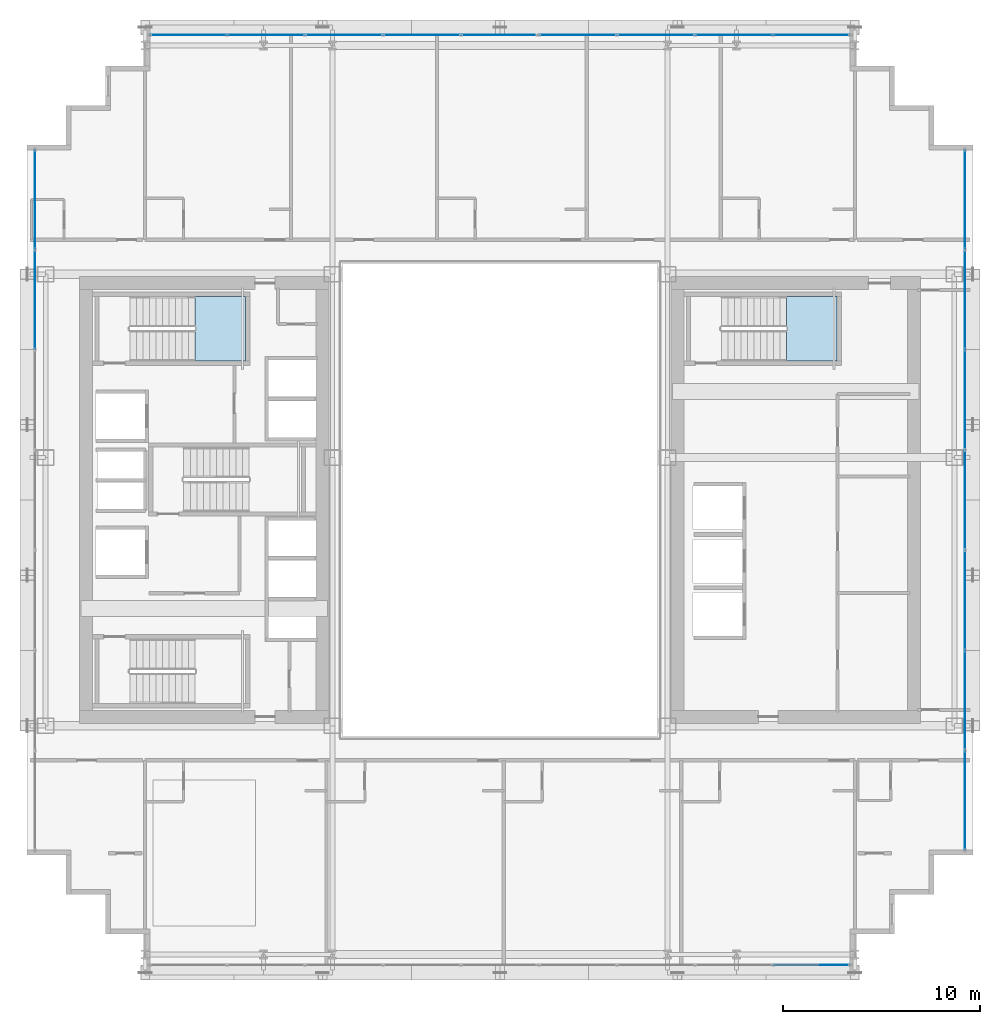
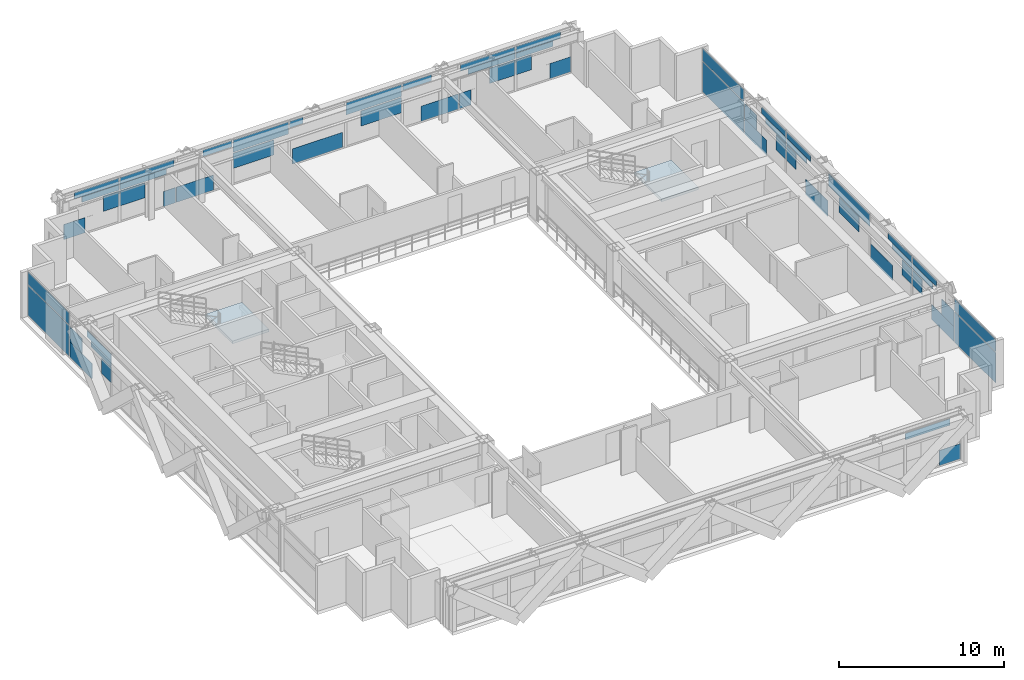
# One storey, part 24 of 35: 59 plates, 2 slabs, 6 elements without a shape of their own.
"""IFC4 building model written with IfcOpenShell, lengths in metres."""

from ifc_helpers import new_model, si_unit, direction, frame, origin, origin_2d, place, context, subcontext, project, spatial, polyline, rectangle, outline, extrude, source, transform, mapped, material, layer, layer_set, type_object, element, aggregate, save


model = new_model("IFC4")

# Units and contexts
model_context = context("Model", 3, precision=1e-05, world=origin(), true_north=direction((0.0, 1.0)))
body_context = subcontext(model_context, "Body", "Model", "MODEL_VIEW")
ifc_project = project(units=[si_unit("LENGTHUNIT", "METRE"), si_unit("AREAUNIT", "SQUARE_METRE"), si_unit("VOLUMEUNIT", "CUBIC_METRE"), si_unit("PLANEANGLEUNIT", "RADIAN"), si_unit("MASSUNIT", "GRAM", prefix="KILO")], contexts=[model_context])

# Site, building, storey
site_placement = place(None, origin())
site = spatial("IfcSite", under=ifc_project, at=site_placement, CompositionType="ELEMENT")
building_placement = place(site_placement, origin())
building = spatial("IfcBuilding", under=site, at=building_placement, Name="Ocotamira Hotel", CompositionType="ELEMENT")
storey_placement = place(building_placement, frame((0.0, 0.0, 115.199951171875)))
storey = spatial("IfcBuildingStorey", under=building, at=storey_placement, Name="L28", CompositionType="ELEMENT", Elevation=115.199951171875)

# Stair, slab
ifc_material_1 = material(Name="Concrete C40/50", Category="concrete")
stair_type = type_object("IfcStairType", Name="ST-CORE-1560", PredefinedType="HALF_TURN_STAIR", material=ifc_material_1)
stair_1_placement = place(storey_placement, origin())
stair_1 = element("IfcStair", 1, at=stair_1_placement, inside=storey, type_object=stair_type, Name="L28 Exit Stair ST-2", PredefinedType="HALF_TURN_STAIR")
ifc_layer_1 = layer(ifc_material_1, 0.199951171875)
ifc_layer_set_1 = layer_set([ifc_layer_1], Name="Concrete C40/50")
slab_type = type_object("IfcSlabType", Name="SLB-LAND-200", PredefinedType="LANDING", material=ifc_layer_set_1)
slab_1_placement = place(storey_placement, frame((0.0, 0.0, 1.60009765625)))
slab_1 = element("IfcSlab", 2, at=slab_1_placement, type_object=slab_type, Name="ST-2 landing 1", PredefinedType="LANDING", context=body_context, shape_type="SweptSolid", body=[
    extrude(outline(polyline([(16.530029296875, 33.050048828125), (19.090087890625, 33.050048828125), (19.090087890625, 36.330078125), (16.530029296875, 36.330078125), (16.530029296875, 33.050048828125)])), origin(), (0.0, 0.0, 1.0), 0.199951171875),
])
aggregate(stair_1, [slab_1])

stair_2_placement = place(storey_placement, origin())
stair_2 = element("IfcStair", 3, at=stair_2_placement, inside=storey, type_object=stair_type, Name="L28 Exit Stair ST-4", PredefinedType="HALF_TURN_STAIR")
slab_2_placement = place(storey_placement, frame((0.0, 0.0, 1.60009765625)))
slab_2 = element("IfcSlab", 4, at=slab_2_placement, type_object=slab_type, Name="ST-4 landing 1", PredefinedType="LANDING", context=body_context, shape_type="SweptSolid", body=[
    extrude(outline(polyline([(46.530029296875, 33.050048828125), (49.090087890625, 33.050048828125), (49.090087890625, 36.330078125), (46.530029296875, 36.330078125), (46.530029296875, 33.050048828125)])), origin(), (0.0, 0.0, 1.0), 0.199951171875),
])
aggregate(stair_2, [slab_2])

# Curtain wall, plate
ifc_material_2 = material(Name="Anodised pale-metal aluminium and solar glass", Category="aluminium")
ifc_layer_2 = layer(ifc_material_2, 0.179931640625)
ifc_layer_set_2 = layer_set([ifc_layer_2], Name="Anodised pale-metal aluminium and solar glass")
curtain_wall_type = type_object("IfcCurtainWallType", Name="CW-SYS3-Z2", PredefinedType="NOTDEFINED", material=ifc_layer_set_2)
curtain_wall_1_placement = place(storey_placement, origin())
curtain_wall_1 = element("IfcCurtainWall", 5, at=curtain_wall_1_placement, inside=storey, type_object=curtain_wall_type, Name="L28 Curtain Wall CW-3 CW-L28-W", PredefinedType="NOTDEFINED")
ifc_material_3 = material(Name="Double-silver low-E insulated solar glass", Category="glass")
ifc_layer_3 = layer(ifc_material_3, 0.031982421875)
ifc_layer_set_3 = layer_set([ifc_layer_3], Name="Double-silver low-E insulated solar glass")
plate_type = type_object("IfcPlateType", Name="CWP-VISION-32", PredefinedType="CURTAIN_PANEL", material=ifc_layer_set_3)
shared_shape_1 = source(origin(), body_context, "Body", "SweptSolid", [
    extrude(rectangle(XDim=4.9658203125, YDim=0.031982421875, at=origin_2d()), origin(), (0.0, 0.0, 1.0), 2.237548828125),
])
plate_1_placement = place(storey_placement, frame((8.419921875, 41.237060546875, 0.0751953125), z_axis=(0.0, 0.0, 1.0), x_axis=(0.0, 1.0, 0.0)))
plate_1 = element("IfcPlate", 6, at=plate_1_placement, type_object=plate_type, Name="CW-3 panel 7.1", PredefinedType="CURTAIN_PANEL", context=body_context, shape_type="MappedRepresentation", body=[
    mapped(shared_shape_1, transform((0.0, 0.0, 0.0), scale=1.0)),
])

# Curtain wall, plates
curtain_wall_2_placement = place(storey_placement, origin())
curtain_wall_2 = element("IfcCurtainWall", 7, at=curtain_wall_2_placement, inside=storey, type_object=curtain_wall_type, Name="L28 Curtain Wall CW-3 CW-L28-E", PredefinedType="NOTDEFINED")
plate_2_placement = place(storey_placement, frame((55.580078125, 10.762939453125, 0.0751953125), z_axis=(0.0, 0.0, 1.0), x_axis=(0.0, 1.0, 0.0)))
plate_2 = element("IfcPlate", 8, at=plate_2_placement, type_object=plate_type, Name="CW-3 panel 1.1", PredefinedType="CURTAIN_PANEL", context=body_context, shape_type="MappedRepresentation", body=[
    mapped(shared_shape_1, transform((0.0, 0.0, 0.0), scale=1.0)),
])
plate_3_placement = place(storey_placement, frame((55.580078125, 41.237060546875, 0.0751953125), z_axis=(0.0, 0.0, 1.0), x_axis=(0.0, 1.0, 0.0)))
plate_3 = element("IfcPlate", 9, at=plate_3_placement, type_object=plate_type, Name="CW-3 panel 7.1", PredefinedType="CURTAIN_PANEL", context=body_context, shape_type="MappedRepresentation", body=[
    mapped(shared_shape_1, transform((0.0, 0.0, 0.0), scale=1.0)),
])

curtain_wall_3_placement = place(storey_placement, origin())
curtain_wall_3 = element("IfcCurtainWall", 10, at=curtain_wall_3_placement, inside=storey, type_object=curtain_wall_type, Name="L28 Curtain Wall CW-3 CW-L28-N", PredefinedType="NOTDEFINED")
shared_shape_2 = source(origin(), body_context, "Body", "SweptSolid", [
    extrude(rectangle(XDim=3.87548828125, YDim=0.031982421875, at=origin_2d()), origin(), (0.0, 0.0, 1.0), 0.8974609375),
])
plate_4_placement = place(storey_placement, frame((28.04443359375, 49.580078125, 2.387451171875), z_axis=(0.0, 0.0, 1.0), x_axis=(1.0, 0.0, 0.0)))
plate_4 = element("IfcPlate", 11, at=plate_4_placement, type_object=plate_type, Name="CW-3 panel 4.2", PredefinedType="CURTAIN_PANEL", context=body_context, shape_type="MappedRepresentation", body=[
    mapped(shared_shape_2, transform((0.0, 0.0, 0.0), scale=1.0)),
])
plate_5_placement = place(storey_placement, frame((35.95556640625, 49.580078125, 2.387451171875), z_axis=(0.0, 0.0, 1.0), x_axis=(1.0, 0.0, 0.0)))
plate_5 = element("IfcPlate", 12, at=plate_5_placement, type_object=plate_type, Name="CW-3 panel 6.2", PredefinedType="CURTAIN_PANEL", context=body_context, shape_type="MappedRepresentation", body=[
    mapped(shared_shape_2, transform((0.0, 0.0, 0.0), scale=1.0)),
])

# Plate
shared_shape_3 = source(origin(), body_context, "Body", "SweptSolid", [
    extrude(rectangle(XDim=4.9658203125, YDim=0.031982421875, at=origin_2d()), origin(), (0.0, 0.0, 1.0), 0.8974609375),
])
plate_6_placement = place(storey_placement, frame((8.419921875, 41.237060546875, 2.387451171875), z_axis=(0.0, 0.0, 1.0), x_axis=(0.0, 1.0, 0.0)))
plate_6 = element("IfcPlate", 13, at=plate_6_placement, type_object=plate_type, Name="CW-3 panel 7.2", PredefinedType="CURTAIN_PANEL", context=body_context, shape_type="MappedRepresentation", body=[
    mapped(shared_shape_3, transform((0.0, 0.0, 0.0), scale=1.0)),
])

plate_7_placement = place(storey_placement, frame((55.580078125, 10.762939453125, 2.387451171875), z_axis=(0.0, 0.0, 1.0), x_axis=(0.0, 1.0, 0.0)))
plate_7 = element("IfcPlate", 14, at=plate_7_placement, type_object=plate_type, Name="CW-3 panel 1.2", PredefinedType="CURTAIN_PANEL", context=body_context, shape_type="MappedRepresentation", body=[
    mapped(shared_shape_3, transform((0.0, 0.0, 0.0), scale=1.0)),
])

plate_8_placement = place(storey_placement, frame((55.580078125, 41.237060546875, 2.387451171875), z_axis=(0.0, 0.0, 1.0), x_axis=(0.0, 1.0, 0.0)))
plate_8 = element("IfcPlate", 15, at=plate_8_placement, type_object=plate_type, Name="CW-3 panel 7.2", PredefinedType="CURTAIN_PANEL", context=body_context, shape_type="MappedRepresentation", body=[
    mapped(shared_shape_3, transform((0.0, 0.0, 0.0), scale=1.0)),
])

shared_shape_4 = source(origin(), body_context, "Body", "SweptSolid", [
    extrude(rectangle(XDim=2.404296875, YDim=0.031982421875, at=origin_2d()), origin(), (0.0, 0.0, 1.0), 1.118896484375),
])
plate_9_placement = place(storey_placement, frame((55.580078125, 26.0, 1.19384765625), z_axis=(0.0, 0.0, 1.0), x_axis=(0.0, 1.0, 0.0)))
plate_9 = element("IfcPlate", 16, at=plate_9_placement, type_object=plate_type, Name="CW-3 panel 4.1.1", PredefinedType="CURTAIN_PANEL", context=body_context, shape_type="MappedRepresentation", body=[
    mapped(shared_shape_4, transform((0.0, 0.0, 0.0), scale=1.0)),
])

# Curtain wall, plate
curtain_wall_4_placement = place(storey_placement, origin())
curtain_wall_4 = element("IfcCurtainWall", 17, at=curtain_wall_4_placement, inside=storey, type_object=curtain_wall_type, Name="L28 Curtain Wall CW-3 CW-L28-S1", PredefinedType="NOTDEFINED")
shared_shape_5 = source(origin(), body_context, "Body", "SweptSolid", [
    extrude(rectangle(XDim=3.104248046875, YDim=0.031982421875, at=origin_2d()), origin(), (0.0, 0.0, 1.0), 0.4716796875),
])
plate_10_placement = place(storey_placement, frame((47.4365234375, 2.419921875, 2.813232421875), z_axis=(0.0, 0.0, 1.0), x_axis=(1.0, 0.0, 0.0)))
plate_10 = element("IfcPlate", 18, at=plate_10_placement, type_object=plate_type, Name="CW-3 panel 9.2.2", PredefinedType="CURTAIN_PANEL", context=body_context, shape_type="MappedRepresentation", body=[
    mapped(shared_shape_5, transform((0.0, 0.0, 0.0), scale=1.0)),
])

# Plate
plate_11_placement = place(storey_placement, frame((16.5634765625, 49.580078125, 2.813232421875), z_axis=(0.0, 0.0, 1.0), x_axis=(1.0, 0.0, 0.0)))
plate_11 = element("IfcPlate", 19, at=plate_11_placement, type_object=plate_type, Name="CW-3 panel 1.2.1", PredefinedType="CURTAIN_PANEL", context=body_context, shape_type="MappedRepresentation", body=[
    mapped(shared_shape_5, transform((0.0, 0.0, 0.0), scale=1.0)),
])

plate_12_placement = place(storey_placement, frame((47.4365234375, 49.580078125, 2.813232421875), z_axis=(0.0, 0.0, 1.0), x_axis=(1.0, 0.0, 0.0)))
plate_12 = element("IfcPlate", 20, at=plate_12_placement, type_object=plate_type, Name="CW-3 panel 9.2.2", PredefinedType="CURTAIN_PANEL", context=body_context, shape_type="MappedRepresentation", body=[
    mapped(shared_shape_5, transform((0.0, 0.0, 0.0), scale=1.0)),
])

shared_shape_6 = source(origin(), body_context, "Body", "SweptSolid", [
    extrude(rectangle(XDim=2.572021484375, YDim=0.031982421875, at=origin_2d()), origin(), (0.0, 0.0, 1.0), 0.39453125),
])
plate_13_placement = place(storey_placement, frame((16.82958984375, 49.580078125, 2.3876953125), z_axis=(0.0, 0.0, 1.0), x_axis=(1.0, 0.0, 0.0)))
plate_13 = element("IfcPlate", 21, at=plate_13_placement, type_object=plate_type, Name="CW-3 panel 1.2.2", PredefinedType="CURTAIN_PANEL", context=body_context, shape_type="MappedRepresentation", body=[
    mapped(shared_shape_6, transform((0.0, 0.0, 0.0), scale=1.0)),
])

plate_14_placement = place(storey_placement, frame((47.17041015625, 49.580078125, 2.3876953125), z_axis=(0.0, 0.0, 1.0), x_axis=(1.0, 0.0, 0.0)))
plate_14 = element("IfcPlate", 22, at=plate_14_placement, type_object=plate_type, Name="CW-3 panel 9.2.1", PredefinedType="CURTAIN_PANEL", context=body_context, shape_type="MappedRepresentation", body=[
    mapped(shared_shape_6, transform((0.0, 0.0, 0.0), scale=1.0)),
])

shared_shape_7 = source(origin(), body_context, "Body", "SweptSolid", [
    extrude(rectangle(XDim=3.260986328125, YDim=0.031982421875, at=origin_2d()), origin(), (0.0, 0.0, 1.0), 0.42578125),
])
plate_15_placement = place(storey_placement, frame((19.826171875, 49.580078125, 2.387451171875), z_axis=(0.0, 0.0, 1.0), x_axis=(1.0, 0.0, 0.0)))
plate_15 = element("IfcPlate", 23, at=plate_15_placement, type_object=plate_type, Name="CW-3 panel 2.2.1", PredefinedType="CURTAIN_PANEL", context=body_context, shape_type="MappedRepresentation", body=[
    mapped(shared_shape_7, transform((0.0, 0.0, 0.0), scale=1.0)),
])

plate_16_placement = place(storey_placement, frame((44.173828125, 49.580078125, 2.387451171875), z_axis=(0.0, 0.0, 1.0), x_axis=(1.0, 0.0, 0.0)))
plate_16 = element("IfcPlate", 24, at=plate_16_placement, type_object=plate_type, Name="CW-3 panel 8.2.2", PredefinedType="CURTAIN_PANEL", context=body_context, shape_type="MappedRepresentation", body=[
    mapped(shared_shape_7, transform((0.0, 0.0, 0.0), scale=1.0)),
])

shared_shape_8 = source(origin(), body_context, "Body", "SweptSolid", [
    extrude(rectangle(XDim=3.793212890625, YDim=0.031982421875, at=origin_2d()), origin(), (0.0, 0.0, 1.0), 0.4716796875),
])
plate_17_placement = place(storey_placement, frame((20.09228515625, 49.580078125, 2.813232421875), z_axis=(0.0, 0.0, 1.0), x_axis=(1.0, 0.0, 0.0)))
plate_17 = element("IfcPlate", 25, at=plate_17_placement, type_object=plate_type, Name="CW-3 panel 2.2.2", PredefinedType="CURTAIN_PANEL", context=body_context, shape_type="MappedRepresentation", body=[
    mapped(shared_shape_8, transform((0.0, 0.0, 0.0), scale=1.0)),
])

plate_18_placement = place(storey_placement, frame((43.90771484375, 49.580078125, 2.813232421875), z_axis=(0.0, 0.0, 1.0), x_axis=(1.0, 0.0, 0.0)))
plate_18 = element("IfcPlate", 26, at=plate_18_placement, type_object=plate_type, Name="CW-3 panel 8.2.1", PredefinedType="CURTAIN_PANEL", context=body_context, shape_type="MappedRepresentation", body=[
    mapped(shared_shape_8, transform((0.0, 0.0, 0.0), scale=1.0)),
])

shared_shape_9 = source(origin(), body_context, "Body", "SweptSolid", [
    extrude(rectangle(XDim=2.015380859375, YDim=0.031982421875, at=origin_2d()), origin(), (0.0, 0.0, 1.0), 0.4716796875),
])
plate_19_placement = place(storey_placement, frame((25.018798828125, 49.580078125, 2.813232421875), z_axis=(0.0, 0.0, 1.0), x_axis=(1.0, 0.0, 0.0)))
plate_19 = element("IfcPlate", 27, at=plate_19_placement, type_object=plate_type, Name="CW-3 panel 3.2.1", PredefinedType="CURTAIN_PANEL", context=body_context, shape_type="MappedRepresentation", body=[
    mapped(shared_shape_9, transform((0.0, 0.0, 0.0), scale=1.0)),
])

plate_20_placement = place(storey_placement, frame((38.981201171875, 49.580078125, 2.813232421875), z_axis=(0.0, 0.0, 1.0), x_axis=(1.0, 0.0, 0.0)))
plate_20 = element("IfcPlate", 28, at=plate_20_placement, type_object=plate_type, Name="CW-3 panel 7.2.1", PredefinedType="CURTAIN_PANEL", context=body_context, shape_type="MappedRepresentation", body=[
    mapped(shared_shape_9, transform((0.0, 0.0, 0.0), scale=1.0)),
])

shared_shape_10 = source(origin(), body_context, "Body", "SweptSolid", [
    extrude(rectangle(XDim=0.926513671875, YDim=0.031982421875, at=origin_2d()), origin(), (0.0, 0.0, 1.0), 0.4716796875),
])
plate_21_placement = place(storey_placement, frame((30.525390625, 49.580078125, 2.813232421875), z_axis=(0.0, 0.0, 1.0), x_axis=(1.0, 0.0, 0.0)))
plate_21 = element("IfcPlate", 29, at=plate_21_placement, type_object=plate_type, Name="CW-3 panel 5.2.1", PredefinedType="CURTAIN_PANEL", context=body_context, shape_type="MappedRepresentation", body=[
    mapped(shared_shape_10, transform((0.0, 0.0, 0.0), scale=1.0)),
])

shared_shape_11 = source(origin(), body_context, "Body", "SweptSolid", [
    extrude(rectangle(XDim=2.908203125, YDim=0.031982421875, at=origin_2d()), origin(), (0.0, 0.0, 1.0), 0.44873046875),
])
plate_22_placement = place(storey_placement, frame((8.419921875, 35.122802734375, 2.836181640625), z_axis=(0.0, 0.0, 1.0), x_axis=(0.0, 1.0, 0.0)))
plate_22 = element("IfcPlate", 30, at=plate_22_placement, type_object=plate_type, Name="CW-3 panel 6.2.2", PredefinedType="CURTAIN_PANEL", context=body_context, shape_type="MappedRepresentation", body=[
    mapped(shared_shape_11, transform((0.0, 0.0, 0.0), scale=1.0)),
])

plate_23_placement = place(storey_placement, frame((55.580078125, 16.877197265625, 2.836181640625), z_axis=(0.0, 0.0, 1.0), x_axis=(0.0, 1.0, 0.0)))
plate_23 = element("IfcPlate", 31, at=plate_23_placement, type_object=plate_type, Name="CW-3 panel 2.2.1", PredefinedType="CURTAIN_PANEL", context=body_context, shape_type="MappedRepresentation", body=[
    mapped(shared_shape_11, transform((0.0, 0.0, 0.0), scale=1.0)),
])

plate_24_placement = place(storey_placement, frame((55.580078125, 35.122802734375, 2.836181640625), z_axis=(0.0, 0.0, 1.0), x_axis=(0.0, 1.0, 0.0)))
plate_24 = element("IfcPlate", 32, at=plate_24_placement, type_object=plate_type, Name="CW-3 panel 6.2.2", PredefinedType="CURTAIN_PANEL", context=body_context, shape_type="MappedRepresentation", body=[
    mapped(shared_shape_11, transform((0.0, 0.0, 0.0), scale=1.0)),
])

shared_shape_12 = source(origin(), body_context, "Body", "SweptSolid", [
    extrude(rectangle(XDim=2.4326171875, YDim=0.031982421875, at=origin_2d()), origin(), (0.0, 0.0, 1.0), 0.414306640625),
])
plate_25_placement = place(storey_placement, frame((8.419921875, 34.884765625, 2.3876953125), z_axis=(0.0, 0.0, 1.0), x_axis=(0.0, 1.0, 0.0)))
plate_25 = element("IfcPlate", 33, at=plate_25_placement, type_object=plate_type, Name="CW-3 panel 6.2.1", PredefinedType="CURTAIN_PANEL", context=body_context, shape_type="MappedRepresentation", body=[
    mapped(shared_shape_12, transform((0.0, 0.0, 0.0), scale=1.0)),
])

plate_26_placement = place(storey_placement, frame((55.580078125, 17.115234375, 2.3876953125), z_axis=(0.0, 0.0, 1.0), x_axis=(0.0, 1.0, 0.0)))
plate_26 = element("IfcPlate", 34, at=plate_26_placement, type_object=plate_type, Name="CW-3 panel 2.2.2", PredefinedType="CURTAIN_PANEL", context=body_context, shape_type="MappedRepresentation", body=[
    mapped(shared_shape_12, transform((0.0, 0.0, 0.0), scale=1.0)),
])

plate_27_placement = place(storey_placement, frame((55.580078125, 34.884765625, 2.3876953125), z_axis=(0.0, 0.0, 1.0), x_axis=(0.0, 1.0, 0.0)))
plate_27 = element("IfcPlate", 35, at=plate_27_placement, type_object=plate_type, Name="CW-3 panel 6.2.1", PredefinedType="CURTAIN_PANEL", context=body_context, shape_type="MappedRepresentation", body=[
    mapped(shared_shape_12, transform((0.0, 0.0, 0.0), scale=1.0)),
])

shared_shape_13 = source(origin(), body_context, "Body", "SweptSolid", [
    extrude(rectangle(XDim=2.4228515625, YDim=0.031982421875, at=origin_2d()), origin(), (0.0, 0.0, 1.0), 0.414306640625),
])
plate_28_placement = place(storey_placement, frame((55.580078125, 19.622802734375, 2.3876953125), z_axis=(0.0, 0.0, 1.0), x_axis=(0.0, 1.0, 0.0)))
plate_28 = element("IfcPlate", 36, at=plate_28_placement, type_object=plate_type, Name="CW-3 panel 3.2.1", PredefinedType="CURTAIN_PANEL", context=body_context, shape_type="MappedRepresentation", body=[
    mapped(shared_shape_13, transform((0.0, 0.0, 0.0), scale=1.0)),
])

plate_29_placement = place(storey_placement, frame((55.580078125, 32.377197265625, 2.3876953125), z_axis=(0.0, 0.0, 1.0), x_axis=(0.0, 1.0, 0.0)))
plate_29 = element("IfcPlate", 37, at=plate_29_placement, type_object=plate_type, Name="CW-3 panel 5.2.2", PredefinedType="CURTAIN_PANEL", context=body_context, shape_type="MappedRepresentation", body=[
    mapped(shared_shape_13, transform((0.0, 0.0, 0.0), scale=1.0)),
])

shared_shape_14 = source(origin(), body_context, "Body", "SweptSolid", [
    extrude(rectangle(XDim=2.898681640625, YDim=0.031982421875, at=origin_2d()), origin(), (0.0, 0.0, 1.0), 0.44873046875),
])
plate_30_placement = place(storey_placement, frame((55.580078125, 19.860595703125, 2.836181640625), z_axis=(0.0, 0.0, 1.0), x_axis=(0.0, 1.0, 0.0)))
plate_30 = element("IfcPlate", 38, at=plate_30_placement, type_object=plate_type, Name="CW-3 panel 3.2.2", PredefinedType="CURTAIN_PANEL", context=body_context, shape_type="MappedRepresentation", body=[
    mapped(shared_shape_14, transform((0.0, 0.0, 0.0), scale=1.0)),
])

plate_31_placement = place(storey_placement, frame((55.580078125, 32.139404296875, 2.836181640625), z_axis=(0.0, 0.0, 1.0), x_axis=(0.0, 1.0, 0.0)))
plate_31 = element("IfcPlate", 39, at=plate_31_placement, type_object=plate_type, Name="CW-3 panel 5.2.1", PredefinedType="CURTAIN_PANEL", context=body_context, shape_type="MappedRepresentation", body=[
    mapped(shared_shape_14, transform((0.0, 0.0, 0.0), scale=1.0)),
])

shared_shape_15 = source(origin(), body_context, "Body", "SweptSolid", [
    extrude(rectangle(XDim=5.005615234375, YDim=0.031982421875, at=origin_2d()), origin(), (0.0, 0.0, 1.0), 0.8974609375),
])
plate_32_placement = place(storey_placement, frame((55.580078125, 26.0, 2.387451171875), z_axis=(0.0, 0.0, 1.0), x_axis=(0.0, 1.0, 0.0)))
plate_32 = element("IfcPlate", 40, at=plate_32_placement, type_object=plate_type, Name="CW-3 panel 4.2", PredefinedType="CURTAIN_PANEL", context=body_context, shape_type="MappedRepresentation", body=[
    mapped(shared_shape_15, transform((0.0, 0.0, 0.0), scale=1.0)),
])

shared_shape_16 = source(origin(), body_context, "Body", "SweptSolid", [
    extrude(rectangle(XDim=1.47509765625, YDim=0.031982421875, at=origin_2d()), origin(), (0.0, 0.0, 1.0), 1.11865234375),
])
plate_33_placement = place(storey_placement, frame((48.982421875, 2.419921875, 0.0751953125), z_axis=(0.0, 0.0, 1.0), x_axis=(1.0, 0.0, 0.0)))
plate_33 = element("IfcPlate", 41, at=plate_33_placement, type_object=plate_type, Name="CW-3 panel 9.1.2", PredefinedType="CURTAIN_PANEL", context=body_context, shape_type="MappedRepresentation", body=[
    mapped(shared_shape_16, transform((0.0, 0.0, 0.0), scale=1.0)),
])

aggregate(curtain_wall_4, [plate_33, plate_10])

plate_34_placement = place(storey_placement, frame((15.017578125, 49.580078125, 0.0751953125), z_axis=(0.0, 0.0, 1.0), x_axis=(1.0, 0.0, 0.0)))
plate_34 = element("IfcPlate", 42, at=plate_34_placement, type_object=plate_type, Name="CW-3 panel 1.1.1", PredefinedType="CURTAIN_PANEL", context=body_context, shape_type="MappedRepresentation", body=[
    mapped(shared_shape_16, transform((0.0, 0.0, 0.0), scale=1.0)),
])

plate_35_placement = place(storey_placement, frame((48.982421875, 49.580078125, 0.0751953125), z_axis=(0.0, 0.0, 1.0), x_axis=(1.0, 0.0, 0.0)))
plate_35 = element("IfcPlate", 43, at=plate_35_placement, type_object=plate_type, Name="CW-3 panel 9.1.2", PredefinedType="CURTAIN_PANEL", context=body_context, shape_type="MappedRepresentation", body=[
    mapped(shared_shape_16, transform((0.0, 0.0, 0.0), scale=1.0)),
])

shared_shape_17 = source(origin(), body_context, "Body", "SweptSolid", [
    extrude(rectangle(XDim=1.079833984375, YDim=0.031982421875, at=origin_2d()), origin(), (0.0, 0.0, 1.0), 1.118896484375),
])
plate_36_placement = place(storey_placement, frame((17.57568359375, 49.580078125, 1.19384765625), z_axis=(0.0, 0.0, 1.0), x_axis=(1.0, 0.0, 0.0)))
plate_36 = element("IfcPlate", 44, at=plate_36_placement, type_object=plate_type, Name="CW-3 panel 1.1.2", PredefinedType="CURTAIN_PANEL", context=body_context, shape_type="MappedRepresentation", body=[
    mapped(shared_shape_17, transform((0.0, 0.0, 0.0), scale=1.0)),
])

plate_37_placement = place(storey_placement, frame((46.42431640625, 49.580078125, 1.19384765625), z_axis=(0.0, 0.0, 1.0), x_axis=(1.0, 0.0, 0.0)))
plate_37 = element("IfcPlate", 45, at=plate_37_placement, type_object=plate_type, Name="CW-3 panel 9.1.1", PredefinedType="CURTAIN_PANEL", context=body_context, shape_type="MappedRepresentation", body=[
    mapped(shared_shape_17, transform((0.0, 0.0, 0.0), scale=1.0)),
])

shared_shape_18 = source(origin(), body_context, "Body", "SweptSolid", [
    extrude(rectangle(XDim=1.768798828125, YDim=0.031982421875, at=origin_2d()), origin(), (0.0, 0.0, 1.0), 1.118896484375),
])
plate_38_placement = place(storey_placement, frame((19.080078125, 49.580078125, 1.19384765625), z_axis=(0.0, 0.0, 1.0), x_axis=(1.0, 0.0, 0.0)))
plate_38 = element("IfcPlate", 46, at=plate_38_placement, type_object=plate_type, Name="CW-3 panel 2.1.1", PredefinedType="CURTAIN_PANEL", context=body_context, shape_type="MappedRepresentation", body=[
    mapped(shared_shape_18, transform((0.0, 0.0, 0.0), scale=1.0)),
])

plate_39_placement = place(storey_placement, frame((44.919921875, 49.580078125, 1.19384765625), z_axis=(0.0, 0.0, 1.0), x_axis=(1.0, 0.0, 0.0)))
plate_39 = element("IfcPlate", 47, at=plate_39_placement, type_object=plate_type, Name="CW-3 panel 8.1.2", PredefinedType="CURTAIN_PANEL", context=body_context, shape_type="MappedRepresentation", body=[
    mapped(shared_shape_18, transform((0.0, 0.0, 0.0), scale=1.0)),
])

shared_shape_19 = source(origin(), body_context, "Body", "SweptSolid", [
    extrude(rectangle(XDim=0.826171875, YDim=0.031982421875, at=origin_2d()), origin(), (0.0, 0.0, 1.0), 1.11865234375),
])
plate_40_placement = place(storey_placement, frame((21.658203125, 49.580078125, 0.0751953125), z_axis=(0.0, 0.0, 1.0), x_axis=(1.0, 0.0, 0.0)))
plate_40 = element("IfcPlate", 48, at=plate_40_placement, type_object=plate_type, Name="CW-3 panel 2.1.2", PredefinedType="CURTAIN_PANEL", context=body_context, shape_type="MappedRepresentation", body=[
    mapped(shared_shape_19, transform((0.0, 0.0, 0.0), scale=1.0)),
])

plate_41_placement = place(storey_placement, frame((42.341796875, 49.580078125, 0.0751953125), z_axis=(0.0, 0.0, 1.0), x_axis=(1.0, 0.0, 0.0)))
plate_41 = element("IfcPlate", 49, at=plate_41_placement, type_object=plate_type, Name="CW-3 panel 8.1.1", PredefinedType="CURTAIN_PANEL", context=body_context, shape_type="MappedRepresentation", body=[
    mapped(shared_shape_19, transform((0.0, 0.0, 0.0), scale=1.0)),
])

shared_shape_20 = source(origin(), body_context, "Body", "SweptSolid", [
    extrude(rectangle(XDim=2.60400390625, YDim=0.031982421875, at=origin_2d()), origin(), (0.0, 0.0, 1.0), 1.11865234375),
])
plate_42_placement = place(storey_placement, frame((23.453125, 49.580078125, 0.0751953125), z_axis=(0.0, 0.0, 1.0), x_axis=(1.0, 0.0, 0.0)))
plate_42 = element("IfcPlate", 50, at=plate_42_placement, type_object=plate_type, Name="CW-3 panel 3.1.1", PredefinedType="CURTAIN_PANEL", context=body_context, shape_type="MappedRepresentation", body=[
    mapped(shared_shape_20, transform((0.0, 0.0, 0.0), scale=1.0)),
])

plate_43_placement = place(storey_placement, frame((40.546875, 49.580078125, 0.0751953125), z_axis=(0.0, 0.0, 1.0), x_axis=(1.0, 0.0, 0.0)))
plate_43 = element("IfcPlate", 51, at=plate_43_placement, type_object=plate_type, Name="CW-3 panel 7.1.1", PredefinedType="CURTAIN_PANEL", context=body_context, shape_type="MappedRepresentation", body=[
    mapped(shared_shape_20, transform((0.0, 0.0, 0.0), scale=1.0)),
])

shared_shape_21 = source(origin(), body_context, "Body", "SweptSolid", [
    extrude(rectangle(XDim=2.857666015625, YDim=0.031982421875, at=origin_2d()), origin(), (0.0, 0.0, 1.0), 1.118896484375),
])
plate_44_placement = place(storey_placement, frame((27.535400390625, 49.580078125, 1.19384765625), z_axis=(0.0, 0.0, 1.0), x_axis=(1.0, 0.0, 0.0)))
plate_44 = element("IfcPlate", 52, at=plate_44_placement, type_object=plate_type, Name="CW-3 panel 4.1.1", PredefinedType="CURTAIN_PANEL", context=body_context, shape_type="MappedRepresentation", body=[
    mapped(shared_shape_21, transform((0.0, 0.0, 0.0), scale=1.0)),
])

plate_45_placement = place(storey_placement, frame((36.464599609375, 49.580078125, 1.19384765625), z_axis=(0.0, 0.0, 1.0), x_axis=(1.0, 0.0, 0.0)))
plate_45 = element("IfcPlate", 53, at=plate_45_placement, type_object=plate_type, Name="CW-3 panel 6.1.1", PredefinedType="CURTAIN_PANEL", context=body_context, shape_type="MappedRepresentation", body=[
    mapped(shared_shape_21, transform((0.0, 0.0, 0.0), scale=1.0)),
])

shared_shape_22 = source(origin(), body_context, "Body", "SweptSolid", [
    extrude(rectangle(XDim=3.510009765625, YDim=0.031982421875, at=origin_2d()), origin(), (0.0, 0.0, 1.0), 1.11865234375),
])
plate_46_placement = place(storey_placement, frame((32.0, 49.580078125, 0.0751953125), z_axis=(0.0, 0.0, 1.0), x_axis=(1.0, 0.0, 0.0)))
plate_46 = element("IfcPlate", 54, at=plate_46_placement, type_object=plate_type, Name="CW-3 panel 5.1.1", PredefinedType="CURTAIN_PANEL", context=body_context, shape_type="MappedRepresentation", body=[
    mapped(shared_shape_22, transform((0.0, 0.0, 0.0), scale=1.0)),
])

aggregate(curtain_wall_3, [plate_34, plate_36, plate_11, plate_13, plate_38, plate_40, plate_15, plate_17, plate_42, plate_19, plate_44, plate_4, plate_46, plate_21, plate_45, plate_5, plate_43, plate_20, plate_41, plate_39, plate_18, plate_16, plate_37, plate_35, plate_14, plate_12])

shared_shape_23 = source(origin(), body_context, "Body", "SweptSolid", [
    extrude(rectangle(XDim=2.6728515625, YDim=0.031982421875, at=origin_2d()), origin(), (0.0, 0.0, 1.0), 1.11865234375),
])
plate_47_placement = place(storey_placement, frame((8.419921875, 37.337890625, 0.0751953125), z_axis=(0.0, 0.0, 1.0), x_axis=(0.0, 1.0, 0.0)))
plate_47 = element("IfcPlate", 55, at=plate_47_placement, type_object=plate_type, Name="CW-3 panel 6.1.2", PredefinedType="CURTAIN_PANEL", context=body_context, shape_type="MappedRepresentation", body=[
    mapped(shared_shape_23, transform((0.0, 0.0, 0.0), scale=1.0)),
])

plate_48_placement = place(storey_placement, frame((55.580078125, 14.662109375, 0.0751953125), z_axis=(0.0, 0.0, 1.0), x_axis=(0.0, 1.0, 0.0)))
plate_48 = element("IfcPlate", 56, at=plate_48_placement, type_object=plate_type, Name="CW-3 panel 2.1.1", PredefinedType="CURTAIN_PANEL", context=body_context, shape_type="MappedRepresentation", body=[
    mapped(shared_shape_23, transform((0.0, 0.0, 0.0), scale=1.0)),
])

plate_49_placement = place(storey_placement, frame((55.580078125, 37.337890625, 0.0751953125), z_axis=(0.0, 0.0, 1.0), x_axis=(0.0, 1.0, 0.0)))
plate_49 = element("IfcPlate", 57, at=plate_49_placement, type_object=plate_type, Name="CW-3 panel 6.1.2", PredefinedType="CURTAIN_PANEL", context=body_context, shape_type="MappedRepresentation", body=[
    mapped(shared_shape_23, transform((0.0, 0.0, 0.0), scale=1.0)),
])

shared_shape_24 = source(origin(), body_context, "Body", "SweptSolid", [
    extrude(rectangle(XDim=1.48681640625, YDim=0.031982421875, at=origin_2d()), origin(), (0.0, 0.0, 1.0), 1.118896484375),
])
plate_50_placement = place(storey_placement, frame((8.419921875, 37.930908203125, 1.19384765625), z_axis=(0.0, 0.0, 1.0), x_axis=(0.0, 1.0, 0.0)))
plate_50 = element("IfcPlate", 58, at=plate_50_placement, type_object=plate_type, Name="CW-3 panel 6.1.3", PredefinedType="CURTAIN_PANEL", context=body_context, shape_type="MappedRepresentation", body=[
    mapped(shared_shape_24, transform((0.0, 0.0, 0.0), scale=1.0)),
])

plate_51_placement = place(storey_placement, frame((55.580078125, 14.069091796875, 1.19384765625), z_axis=(0.0, 0.0, 1.0), x_axis=(0.0, 1.0, 0.0)))
plate_51 = element("IfcPlate", 59, at=plate_51_placement, type_object=plate_type, Name="CW-3 panel 2.1.2", PredefinedType="CURTAIN_PANEL", context=body_context, shape_type="MappedRepresentation", body=[
    mapped(shared_shape_24, transform((0.0, 0.0, 0.0), scale=1.0)),
])

plate_52_placement = place(storey_placement, frame((55.580078125, 37.930908203125, 1.19384765625), z_axis=(0.0, 0.0, 1.0), x_axis=(0.0, 1.0, 0.0)))
plate_52 = element("IfcPlate", 60, at=plate_52_placement, type_object=plate_type, Name="CW-3 panel 6.1.3", PredefinedType="CURTAIN_PANEL", context=body_context, shape_type="MappedRepresentation", body=[
    mapped(shared_shape_24, transform((0.0, 0.0, 0.0), scale=1.0)),
])

shared_shape_25 = source(origin(), body_context, "Body", "SweptSolid", [
    extrude(rectangle(XDim=1.1669921875, YDim=0.031982421875, at=origin_2d()), origin(), (0.0, 0.0, 1.0), 1.118896484375),
])
plate_53_placement = place(storey_placement, frame((8.419921875, 34.251953125, 1.19384765625), z_axis=(0.0, 0.0, 1.0), x_axis=(0.0, 1.0, 0.0)))
plate_53 = element("IfcPlate", 61, at=plate_53_placement, type_object=plate_type, Name="CW-3 panel 6.1.1", PredefinedType="CURTAIN_PANEL", context=body_context, shape_type="MappedRepresentation", body=[
    mapped(shared_shape_25, transform((0.0, 0.0, 0.0), scale=1.0)),
])

aggregate(curtain_wall_1, [plate_53, plate_47, plate_50, plate_25, plate_22, plate_1, plate_6])

plate_54_placement = place(storey_placement, frame((55.580078125, 17.748046875, 1.19384765625), z_axis=(0.0, 0.0, 1.0), x_axis=(0.0, 1.0, 0.0)))
plate_54 = element("IfcPlate", 62, at=plate_54_placement, type_object=plate_type, Name="CW-3 panel 2.1.3", PredefinedType="CURTAIN_PANEL", context=body_context, shape_type="MappedRepresentation", body=[
    mapped(shared_shape_25, transform((0.0, 0.0, 0.0), scale=1.0)),
])

plate_55_placement = place(storey_placement, frame((55.580078125, 34.251953125, 1.19384765625), z_axis=(0.0, 0.0, 1.0), x_axis=(0.0, 1.0, 0.0)))
plate_55 = element("IfcPlate", 63, at=plate_55_placement, type_object=plate_type, Name="CW-3 panel 6.1.1", PredefinedType="CURTAIN_PANEL", context=body_context, shape_type="MappedRepresentation", body=[
    mapped(shared_shape_25, transform((0.0, 0.0, 0.0), scale=1.0)),
])

shared_shape_26 = source(origin(), body_context, "Body", "SweptSolid", [
    extrude(rectangle(XDim=1.1572265625, YDim=0.031982421875, at=origin_2d()), origin(), (0.0, 0.0, 1.0), 1.118896484375),
])
plate_56_placement = place(storey_placement, frame((55.580078125, 18.989990234375, 1.19384765625), z_axis=(0.0, 0.0, 1.0), x_axis=(0.0, 1.0, 0.0)))
plate_56 = element("IfcPlate", 64, at=plate_56_placement, type_object=plate_type, Name="CW-3 panel 3.1.1", PredefinedType="CURTAIN_PANEL", context=body_context, shape_type="MappedRepresentation", body=[
    mapped(shared_shape_26, transform((0.0, 0.0, 0.0), scale=1.0)),
])

plate_57_placement = place(storey_placement, frame((55.580078125, 33.010009765625, 1.19384765625), z_axis=(0.0, 0.0, 1.0), x_axis=(0.0, 1.0, 0.0)))
plate_57 = element("IfcPlate", 65, at=plate_57_placement, type_object=plate_type, Name="CW-3 panel 5.1.2", PredefinedType="CURTAIN_PANEL", context=body_context, shape_type="MappedRepresentation", body=[
    mapped(shared_shape_26, transform((0.0, 0.0, 0.0), scale=1.0)),
])

shared_shape_27 = source(origin(), body_context, "Body", "SweptSolid", [
    extrude(rectangle(XDim=2.6826171875, YDim=0.031982421875, at=origin_2d()), origin(), (0.0, 0.0, 1.0), 1.11865234375),
])
plate_58_placement = place(storey_placement, frame((55.580078125, 22.075927734375, 0.0751953125), z_axis=(0.0, 0.0, 1.0), x_axis=(0.0, 1.0, 0.0)))
plate_58 = element("IfcPlate", 66, at=plate_58_placement, type_object=plate_type, Name="CW-3 panel 3.1.2", PredefinedType="CURTAIN_PANEL", context=body_context, shape_type="MappedRepresentation", body=[
    mapped(shared_shape_27, transform((0.0, 0.0, 0.0), scale=1.0)),
])

plate_59_placement = place(storey_placement, frame((55.580078125, 29.924072265625, 0.0751953125), z_axis=(0.0, 0.0, 1.0), x_axis=(0.0, 1.0, 0.0)))
plate_59 = element("IfcPlate", 67, at=plate_59_placement, type_object=plate_type, Name="CW-3 panel 5.1.1", PredefinedType="CURTAIN_PANEL", context=body_context, shape_type="MappedRepresentation", body=[
    mapped(shared_shape_27, transform((0.0, 0.0, 0.0), scale=1.0)),
])

aggregate(curtain_wall_2, [plate_2, plate_7, plate_48, plate_51, plate_54, plate_23, plate_26, plate_56, plate_58, plate_28, plate_30, plate_9, plate_32, plate_59, plate_57, plate_31, plate_29, plate_55, plate_49, plate_52, plate_27, plate_24, plate_3, plate_8])

save(model, "model.ifc")
